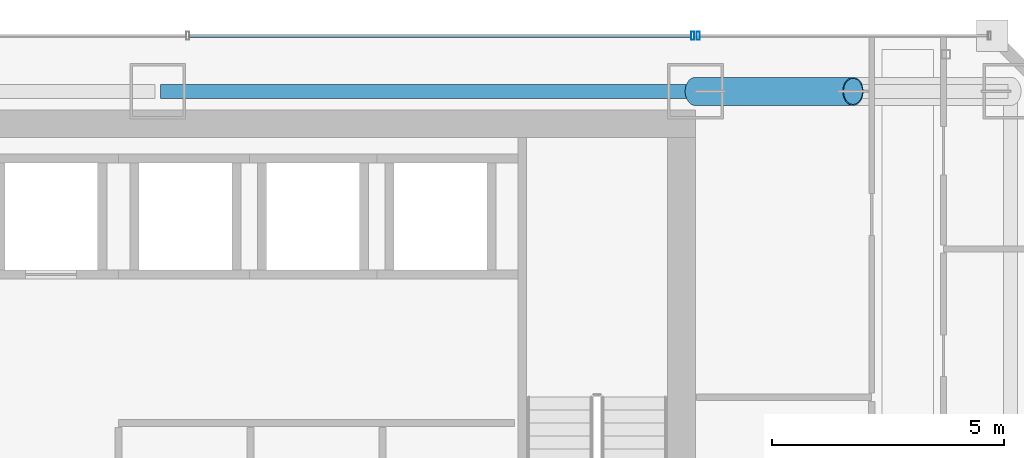
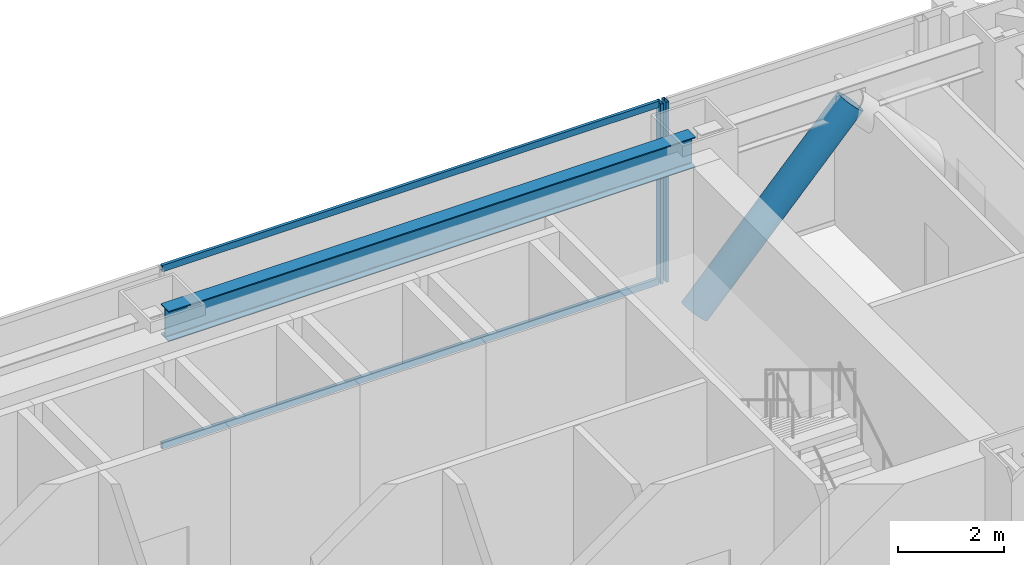
# One storey, part 32 of 49: 5 members, 1 beam, 2 elements without a shape of their own.
"""IFC4 building model written with IfcOpenShell, lengths in metres."""

from ifc_helpers import new_model, si_unit, direction, frame, origin, origin_2d, place, context, subcontext, project, spatial, hollow_rectangle, hollow_circle, i_section, extrude, material, material_profile, profile_set, type_object, element, aggregate, save


model = new_model("IFC4")

# Units and contexts
model_context = context("Model", 3, precision=1e-05, world=origin(), true_north=direction((0.0, 1.0)))
body_context = subcontext(model_context, "Body", "Model", "MODEL_VIEW")
ifc_project = project(units=[si_unit("LENGTHUNIT", "METRE"), si_unit("AREAUNIT", "SQUARE_METRE"), si_unit("VOLUMEUNIT", "CUBIC_METRE"), si_unit("PLANEANGLEUNIT", "RADIAN"), si_unit("MASSUNIT", "GRAM", prefix="KILO")], contexts=[model_context])

# Site, building, storey
site_placement = place(None, origin())
site = spatial("IfcSite", under=ifc_project, at=site_placement, CompositionType="ELEMENT")
building_placement = place(site_placement, origin())
building = spatial("IfcBuilding", under=site, at=building_placement, Name="Saevonmaru Cultural Tower", CompositionType="ELEMENT")
storey_placement = place(building_placement, frame((0.0, 0.0, 73.60009765625)))
storey = spatial("IfcBuildingStorey", under=building, at=storey_placement, Name="L15", CompositionType="ELEMENT", Elevation=73.60009765625)

# Beam
ifc_material_1 = material(Name="Steel SM355", Category="steel")
ifc_material_profile_1 = material_profile(ifc_material_1, i_section(OverallWidth=0.300048828125, OverallDepth=0.699951171875, WebThickness=0.012939453125, FlangeThickness=0.02392578125, FilletRadius=0.02587890625, at=origin_2d()), Name="H-700x300x13x24")
ifc_profile_set_1 = profile_set([ifc_material_profile_1], Name="Steel SM355")
beam_type = type_object("IfcBeamType", Name="BM-SP-H700", PredefinedType="SPANDREL", material=ifc_profile_set_1)
beam_placement = place(storey_placement, frame((34.860107421875, 54.800048828125, 3.7998046875), z_axis=(1.0, 0.0, 0.0), x_axis=(0.0, 1.0, 0.0)))
element("IfcBeam", 1, at=beam_placement, inside=storey, type_object=beam_type, Name="L15 North Spine Girder 4", PredefinedType="SPANDREL", context=body_context, shape_type="SweptSolid", body=[
    extrude(i_section(OverallWidth=0.300048828125, OverallDepth=0.699951171875, WebThickness=0.012939453125, FlangeThickness=0.02392578125, FilletRadius=0.02587890625, at=origin_2d()), origin(), (0.0, 0.0, 1.0), 11.47998046875),
])

# Member
ifc_material_2 = material(Name="Steel HSA600 (600 MPa)", Category="steel")
ifc_material_profile_2 = material_profile(ifc_material_2, hollow_circle(Radius=0.3046875, WallThickness=0.02490234375, at=origin_2d()), Name="CHS-609.6x25")
ifc_profile_set_2 = profile_set([ifc_material_profile_2], Name="Steel HSA600 (600 MPa)")
member_type_1 = type_object("IfcMemberType", Name="MB-PBR-CHS610", PredefinedType="BRACE", material=ifc_profile_set_2)
member_1_placement = place(storey_placement, frame((46.39990234375, 54.800048828125, 0.02001953125), z_axis=(0.681629141635, 0.0, 0.731697829212), x_axis=(0.0, 1.0, 0.0)))
element("IfcMember", 2, at=member_1_placement, inside=storey, type_object=member_type_1, Name="L15 Perimeter Braced-Tube Diagonal EN1", PredefinedType="BRACE", context=body_context, shape_type="SweptSolid", body=[
    extrude(hollow_circle(Radius=0.3046875, WallThickness=0.02490234375, at=origin_2d()), origin(), (0.0, 0.0, 1.0), 4.98828125),
])

# Curtain wall, member
ifc_material_3 = material(Name="Satin Bronze Anodised Aluminium", Category="aluminium")
curtain_wall_type = type_object("IfcCurtainWallType", Name="CW-TYP-A", PredefinedType="NOTDEFINED", material=ifc_material_3)
curtain_wall_1_placement = place(storey_placement, origin())
curtain_wall_1 = element("IfcCurtainWall", 3, at=curtain_wall_1_placement, inside=storey, type_object=curtain_wall_type, Name="L15 East Braced Bay Spandrel Curtain Wall E10A", PredefinedType="NOTDEFINED")
ifc_material_profile_3 = material_profile(ifc_material_3, hollow_rectangle(XDim=0.06494140625, YDim=0.179931640625, WallThickness=0.00390625, at=origin_2d()), Name="ALU-MULL-180x65x4")
ifc_profile_set_3 = profile_set([ifc_material_profile_3], Name="Satin Bronze Anodised Aluminium")
member_type_2 = type_object("IfcMemberType", Name="ML-CW-180x65", PredefinedType="MULLION", material=ifc_profile_set_3)
member_2_placement = place(storey_placement, frame((46.4599609375, 56.0, 0.0), z_axis=(0.0, 0.0, 1.0), x_axis=(-1.0, 0.0, 0.0)))
member_2 = element("IfcMember", 4, at=member_2_placement, type_object=member_type_2, Name="CW-TW-L15-E10A mullion 2", PredefinedType="MULLION", context=body_context, shape_type="SweptSolid", body=[
    extrude(hollow_rectangle(XDim=0.06494140625, YDim=0.179931640625, WallThickness=0.00390625, at=origin_2d()), origin(), (0.0, 0.0, 1.0), 4.14990234375),
])
aggregate(curtain_wall_1, [member_2])

# Curtain wall, members
curtain_wall_2_placement = place(storey_placement, origin())
curtain_wall_2 = element("IfcCurtainWall", 5, at=curtain_wall_2_placement, inside=storey, type_object=curtain_wall_type, Name="L15 North Spine Unitised Curtain Wall E10B", PredefinedType="NOTDEFINED")
member_3_placement = place(storey_placement, frame((46.340087890625, 56.0, 0.0), z_axis=(0.0, 0.0, 1.0), x_axis=(-1.0, 0.0, 0.0)))
member_3 = element("IfcMember", 6, at=member_3_placement, type_object=member_type_2, Name="CW-TW-L15-E10B mullion 1", PredefinedType="MULLION", context=body_context, shape_type="SweptSolid", body=[
    extrude(hollow_rectangle(XDim=0.06494140625, YDim=0.179931640625, WallThickness=0.00390625, at=origin_2d()), origin(), (0.0, 0.0, 1.0), 4.14990234375),
])
ifc_material_profile_4 = material_profile(ifc_material_3, hollow_rectangle(XDim=0.06494140625, YDim=0.14990234375, WallThickness=0.00390625, at=origin_2d()), Name="ALU-TRAN-150x65x4")
ifc_profile_set_4 = profile_set([ifc_material_profile_4], Name="Satin Bronze Anodised Aluminium")
member_type_3 = type_object("IfcMemberType", Name="TR-CW-150x65", PredefinedType="USERDEFINED", material=ifc_profile_set_4)
member_4_placement = place(storey_placement, frame((46.3076171875, 56.0, 0.032470703125), z_axis=(-1.0, 0.0, 0.0), x_axis=(0.0, -1.0, 0.0)))
member_4 = element("IfcMember", 7, at=member_4_placement, type_object=member_type_3, Name="CW-TW-L15-E10B transom 1.1", ObjectType="TRANSOM", PredefinedType="USERDEFINED", context=body_context, shape_type="SweptSolid", body=[
    extrude(hollow_rectangle(XDim=0.06494140625, YDim=0.14990234375, WallThickness=0.00390625, at=origin_2d()), origin(), (0.0, 0.0, 1.0), 10.828369140625),
])
member_5_placement = place(storey_placement, frame((46.3076171875, 56.0, 4.117431640625), z_axis=(-1.0, 0.0, 0.0), x_axis=(0.0, -1.0, 0.0)))
member_5 = element("IfcMember", 8, at=member_5_placement, type_object=member_type_3, Name="CW-TW-L15-E10B transom 1.2", ObjectType="TRANSOM", PredefinedType="USERDEFINED", context=body_context, shape_type="SweptSolid", body=[
    extrude(hollow_rectangle(XDim=0.06494140625, YDim=0.14990234375, WallThickness=0.00390625, at=origin_2d()), origin(), (0.0, 0.0, 1.0), 10.828369140625),
])
aggregate(curtain_wall_2, [member_3, member_4, member_5])

save(model, "model.ifc")
